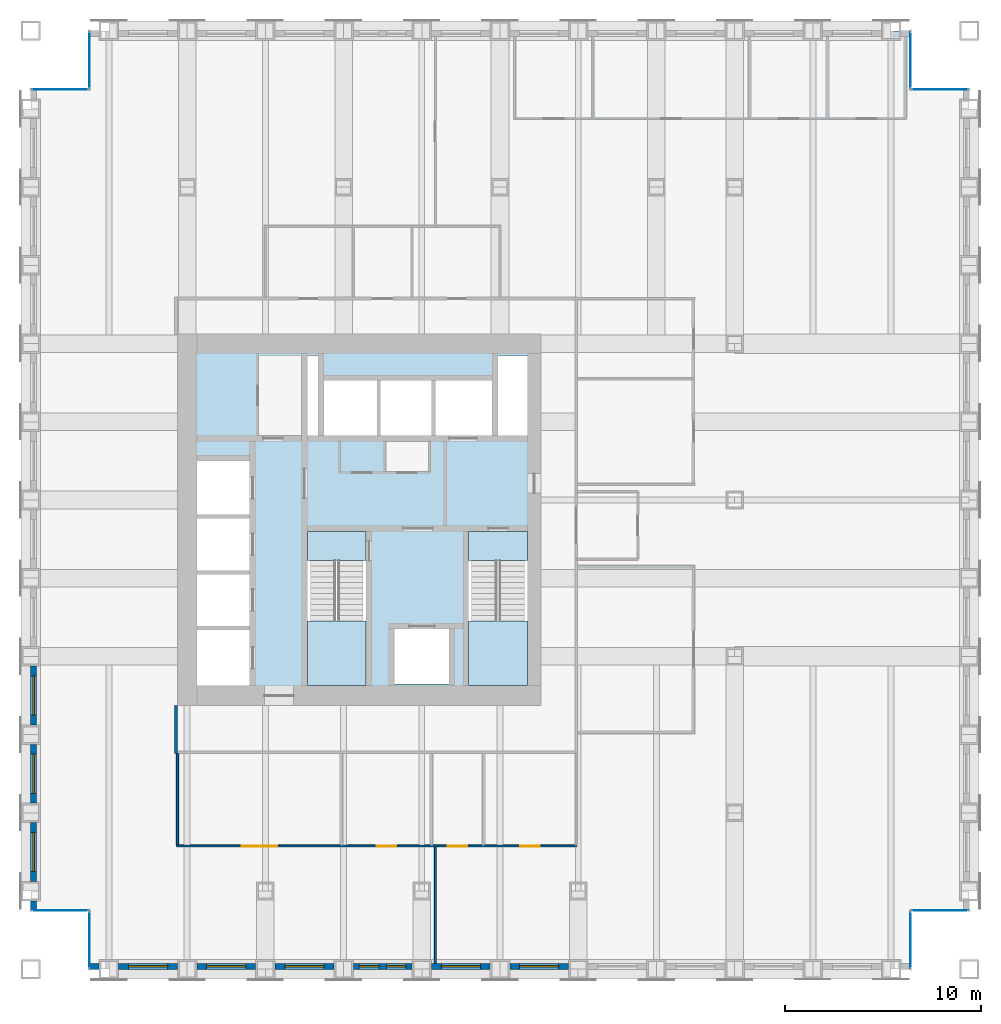
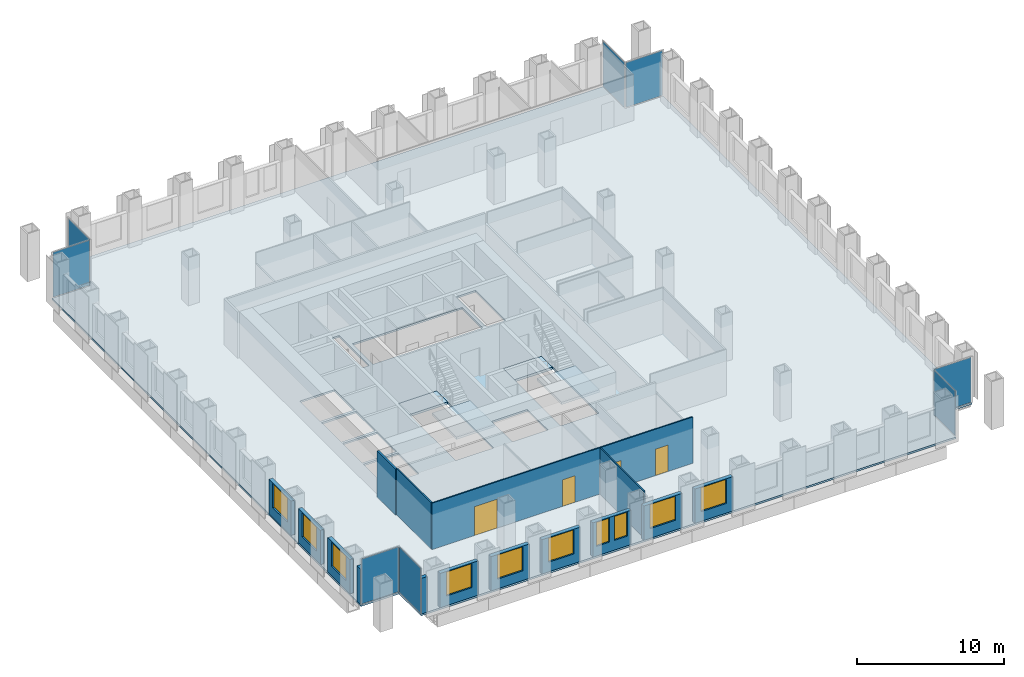
# One storey, part 10 of 15: 15 walls, 10 windows, 8 plates, 5 slabs, 4 doors, 14 openings, 10 elements without a shape of their own.
"""IFC4 building model written with IfcOpenShell, lengths in metres."""

from ifc_helpers import new_model, si_unit, direction, frame, frame_2d, origin, origin_2d, place, context, subcontext, project, spatial, polyline, rectangle, outline, extrude, material, layer, layer_set, type_object, element, fill, aggregate, save


model = new_model("IFC4")

# Units and contexts
model_context = context("Model", 3, precision=1e-05, world=origin(), true_north=direction((0.0, 1.0)))
body_context = subcontext(model_context, "Body", "Model", "MODEL_VIEW")
ifc_project = project(units=[si_unit("LENGTHUNIT", "METRE"), si_unit("AREAUNIT", "SQUARE_METRE"), si_unit("VOLUMEUNIT", "CUBIC_METRE"), si_unit("PLANEANGLEUNIT", "RADIAN"), si_unit("MASSUNIT", "GRAM", prefix="KILO")], contexts=[model_context])

# Site, building, storey
site_placement = place(None, origin())
site = spatial("IfcSite", under=ifc_project, at=site_placement, CompositionType="ELEMENT")
building_placement = place(site_placement, origin())
building = spatial("IfcBuilding", under=site, at=building_placement, Name="Rimbunsela Tower", CompositionType="ELEMENT")
storey_placement = place(building_placement, frame((0.0, 0.0, 113.39990234375)))
storey = spatial("IfcBuildingStorey", under=building, at=storey_placement, Name="L27", CompositionType="ELEMENT", Elevation=113.39990234375)

# Slab
ifc_material_1 = material(Name="Concrete fc' 35 MPa", Category="concrete")
ifc_layer_1 = layer(ifc_material_1, 0.14990234375)
ifc_layer_set_1 = layer_set([ifc_layer_1], Name="Floor slab 150")
slab_type_1 = type_object("IfcSlabType", Name="Floor slab 150", PredefinedType="FLOOR", material=ifc_layer_set_1)
slab_1_placement = place(storey_placement, frame((0.0, 0.0, -0.14990234375)))
element("IfcSlab", 1, at=slab_1_placement, inside=storey, type_object=slab_type_1, Name="Floor slab L27", PredefinedType="FLOOR", context=body_context, shape_type="SweptSolid", body=[
    extrude(outline(polyline([(13.0, 4.0), (55.0, 4.0), (55.0, 7.0), (58.0, 7.0), (58.0, 49.0), (55.0, 49.0), (55.0, 52.0), (13.0, 52.0), (13.0, 49.0), (10.0, 49.0), (10.0, 7.0), (13.0, 7.0), (13.0, 4.0)]), holes=[polyline([(21.199951171875, 21.35009765625), (18.5, 21.35009765625), (18.5, 18.5), (21.199951171875, 18.5), (21.199951171875, 21.35009765625)]), polyline([(21.199951171875, 21.550048828125), (21.199951171875, 24.199951171875), (18.5, 24.199951171875), (18.5, 21.550048828125), (21.199951171875, 21.550048828125)]), polyline([(21.199951171875, 27.050048828125), (18.5, 27.050048828125), (18.5, 24.39990234375), (21.199951171875, 24.39990234375), (21.199951171875, 27.050048828125)]), polyline([(21.199951171875, 27.25), (21.199951171875, 30.0), (18.5, 30.0), (18.5, 27.25), (21.199951171875, 27.25)]), polyline([(27.14990234375, 18.60009765625), (27.14990234375, 26.39990234375), (24.14990234375, 26.39990234375), (24.14990234375, 18.60009765625), (27.14990234375, 18.60009765625)]), polyline([(24.699951171875, 31.300048828125), (24.699951171875, 35.39990234375), (24.14990234375, 35.39990234375), (24.14990234375, 31.300048828125), (24.699951171875, 31.300048828125)]), polyline([(25.0, 34.10009765625), (25.0, 31.300048828125), (33.60009765625, 31.300048828125), (33.60009765625, 34.10009765625), (25.0, 34.10009765625)]), polyline([(31.39990234375, 21.39990234375), (28.60009765625, 21.39990234375), (28.60009765625, 18.60009765625), (31.39990234375, 18.60009765625), (31.39990234375, 21.39990234375)]), polyline([(35.39990234375, 18.60009765625), (35.39990234375, 26.39990234375), (32.39990234375, 26.39990234375), (32.39990234375, 18.60009765625), (35.39990234375, 18.60009765625)]), polyline([(35.39990234375, 31.300048828125), (35.39990234375, 35.39990234375), (33.89990234375, 35.39990234375), (33.89990234375, 31.300048828125), (35.39990234375, 31.300048828125)])]), origin(), (0.0, 0.0, 1.0), 0.14990234375),
])

# Curtain wall, plate
ifc_material_2 = material(Name="Aluminium curtain wall", Category="aluminium")
curtain_wall_type = type_object("IfcCurtainWallType", Name="Corner glazing", PredefinedType="USERDEFINED", material=ifc_material_2)
curtain_wall_1_placement = place(storey_placement, origin())
curtain_wall_1 = element("IfcCurtainWall", 2, at=curtain_wall_1_placement, inside=storey, type_object=curtain_wall_type, Name="Corner glazing L27", ObjectType="CORNER GLAZING", PredefinedType="USERDEFINED")
ifc_material_3 = material(Name="Clear double glazing", Category="glass")
ifc_layer_2 = layer(ifc_material_3, 0.028076171875)
ifc_layer_set_2 = layer_set([ifc_layer_2], Name="Glazed panel clear")
plate_type = type_object("IfcPlateType", Name="Glazed panel clear", PredefinedType="CURTAIN_PANEL", material=ifc_layer_set_2)
plate_1_placement = place(storey_placement, frame((55.0, 5.5, 0.06005859375), z_axis=(0.0, 0.0, 1.0), x_axis=(0.0, 1.0, 0.0)))
plate_1 = element("IfcPlate", 3, at=plate_1_placement, type_object=plate_type, Name="CW5 panel 1.1", PredefinedType="CURTAIN_PANEL", context=body_context, shape_type="SweptSolid", body=[
    extrude(rectangle(XDim=2.8798828125, YDim=0.028076171875, at=origin_2d()), origin(), (0.0, 0.0, 1.0), 3.72998046875),
])
aggregate(curtain_wall_1, [plate_1])

curtain_wall_2_placement = place(storey_placement, origin())
curtain_wall_2 = element("IfcCurtainWall", 4, at=curtain_wall_2_placement, inside=storey, type_object=curtain_wall_type, Name="Corner glazing L27", ObjectType="CORNER GLAZING", PredefinedType="USERDEFINED")
plate_2_placement = place(storey_placement, frame((56.5, 7.0, 0.06005859375), z_axis=(0.0, 0.0, 1.0), x_axis=(1.0, 0.0, 0.0)))
plate_2 = element("IfcPlate", 5, at=plate_2_placement, type_object=plate_type, Name="CW5 panel 1.1", PredefinedType="CURTAIN_PANEL", context=body_context, shape_type="SweptSolid", body=[
    extrude(rectangle(XDim=2.8798828125, YDim=0.028076171875, at=origin_2d()), origin(), (0.0, 0.0, 1.0), 3.72998046875),
])
aggregate(curtain_wall_2, [plate_2])

curtain_wall_3_placement = place(storey_placement, origin())
curtain_wall_3 = element("IfcCurtainWall", 6, at=curtain_wall_3_placement, inside=storey, type_object=curtain_wall_type, Name="Corner glazing L27", ObjectType="CORNER GLAZING", PredefinedType="USERDEFINED")
plate_3_placement = place(storey_placement, frame((56.5, 49.0, 0.06005859375), z_axis=(0.0, 0.0, 1.0), x_axis=(-1.0, 0.0, 0.0)))
plate_3 = element("IfcPlate", 7, at=plate_3_placement, type_object=plate_type, Name="CW5 panel 1.1", PredefinedType="CURTAIN_PANEL", context=body_context, shape_type="SweptSolid", body=[
    extrude(rectangle(XDim=2.8798828125, YDim=0.028076171875, at=origin_2d()), origin(), (0.0, 0.0, 1.0), 3.72998046875),
])
aggregate(curtain_wall_3, [plate_3])

curtain_wall_4_placement = place(storey_placement, origin())
curtain_wall_4 = element("IfcCurtainWall", 8, at=curtain_wall_4_placement, inside=storey, type_object=curtain_wall_type, Name="Corner glazing L27", ObjectType="CORNER GLAZING", PredefinedType="USERDEFINED")
plate_4_placement = place(storey_placement, frame((55.0, 50.5, 0.06005859375), z_axis=(0.0, 0.0, 1.0), x_axis=(0.0, 1.0, 0.0)))
plate_4 = element("IfcPlate", 9, at=plate_4_placement, type_object=plate_type, Name="CW5 panel 1.1", PredefinedType="CURTAIN_PANEL", context=body_context, shape_type="SweptSolid", body=[
    extrude(rectangle(XDim=2.8798828125, YDim=0.028076171875, at=origin_2d()), origin(), (0.0, 0.0, 1.0), 3.72998046875),
])
aggregate(curtain_wall_4, [plate_4])

curtain_wall_5_placement = place(storey_placement, origin())
curtain_wall_5 = element("IfcCurtainWall", 10, at=curtain_wall_5_placement, inside=storey, type_object=curtain_wall_type, Name="Corner glazing L27", ObjectType="CORNER GLAZING", PredefinedType="USERDEFINED")
plate_5_placement = place(storey_placement, frame((13.0, 50.5, 0.06005859375), z_axis=(0.0, 0.0, 1.0), x_axis=(0.0, -1.0, 0.0)))
plate_5 = element("IfcPlate", 11, at=plate_5_placement, type_object=plate_type, Name="CW5 panel 1.1", PredefinedType="CURTAIN_PANEL", context=body_context, shape_type="SweptSolid", body=[
    extrude(rectangle(XDim=2.8798828125, YDim=0.028076171875, at=origin_2d()), origin(), (0.0, 0.0, 1.0), 3.72998046875),
])
aggregate(curtain_wall_5, [plate_5])

curtain_wall_6_placement = place(storey_placement, origin())
curtain_wall_6 = element("IfcCurtainWall", 12, at=curtain_wall_6_placement, inside=storey, type_object=curtain_wall_type, Name="Corner glazing L27", ObjectType="CORNER GLAZING", PredefinedType="USERDEFINED")
plate_6_placement = place(storey_placement, frame((11.5, 49.0, 0.06005859375), z_axis=(0.0, 0.0, 1.0), x_axis=(-1.0, 0.0, 0.0)))
plate_6 = element("IfcPlate", 13, at=plate_6_placement, type_object=plate_type, Name="CW5 panel 1.1", PredefinedType="CURTAIN_PANEL", context=body_context, shape_type="SweptSolid", body=[
    extrude(rectangle(XDim=2.8798828125, YDim=0.028076171875, at=origin_2d()), origin(), (0.0, 0.0, 1.0), 3.72998046875),
])
aggregate(curtain_wall_6, [plate_6])

curtain_wall_7_placement = place(storey_placement, origin())
curtain_wall_7 = element("IfcCurtainWall", 14, at=curtain_wall_7_placement, inside=storey, type_object=curtain_wall_type, Name="Corner glazing L27", ObjectType="CORNER GLAZING", PredefinedType="USERDEFINED")
plate_7_placement = place(storey_placement, frame((11.5, 7.0, 0.06005859375), z_axis=(0.0, 0.0, 1.0), x_axis=(1.0, 0.0, 0.0)))
plate_7 = element("IfcPlate", 15, at=plate_7_placement, type_object=plate_type, Name="CW5 panel 1.1", PredefinedType="CURTAIN_PANEL", context=body_context, shape_type="SweptSolid", body=[
    extrude(rectangle(XDim=2.8798828125, YDim=0.028076171875, at=origin_2d()), origin(), (0.0, 0.0, 1.0), 3.72998046875),
])
aggregate(curtain_wall_7, [plate_7])

curtain_wall_8_placement = place(storey_placement, origin())
curtain_wall_8 = element("IfcCurtainWall", 16, at=curtain_wall_8_placement, inside=storey, type_object=curtain_wall_type, Name="Corner glazing L27", ObjectType="CORNER GLAZING", PredefinedType="USERDEFINED")
plate_8_placement = place(storey_placement, frame((13.0, 5.5, 0.06005859375), z_axis=(0.0, 0.0, 1.0), x_axis=(0.0, -1.0, 0.0)))
plate_8 = element("IfcPlate", 17, at=plate_8_placement, type_object=plate_type, Name="CW5 panel 1.1", PredefinedType="CURTAIN_PANEL", context=body_context, shape_type="SweptSolid", body=[
    extrude(rectangle(XDim=2.8798828125, YDim=0.028076171875, at=origin_2d()), origin(), (0.0, 0.0, 1.0), 3.72998046875),
])
aggregate(curtain_wall_8, [plate_8])

# Stair, slabs
ifc_material_4 = material(Name="Concrete fc' 35 MPa", Category="concrete")
stair_type = type_object("IfcStairType", Name="Exit stair 24 risers", PredefinedType="HALF_TURN_STAIR", material=ifc_material_4)
stair_1_placement = place(storey_placement, origin())
stair_1 = element("IfcStair", 18, at=stair_1_placement, inside=storey, type_object=stair_type, Name="Exit stair A L27", PredefinedType="HALF_TURN_STAIR")
ifc_material_5 = material(Name="Concrete fc' 35 MPa", Category="concrete")
ifc_layer_3 = layer(ifc_material_5, 0.199951171875)
ifc_layer_set_3 = layer_set([ifc_layer_3], Name="Stair landing 200")
slab_type_2 = type_object("IfcSlabType", Name="Stair landing 200", PredefinedType="LANDING", material=ifc_layer_set_3)
slab_2_placement = place(storey_placement, frame((0.0, 0.0, -0.199951171875)))
slab_2 = element("IfcSlab", 19, at=slab_2_placement, type_object=slab_type_2, Name="ST-A landing 1", PredefinedType="LANDING", context=body_context, shape_type="SweptSolid", body=[
    extrude(outline(polyline([(24.14990234375, 24.89990234375), (27.14990234375, 24.89990234375), (27.14990234375, 26.39990234375), (24.14990234375, 26.39990234375), (24.14990234375, 24.89990234375)])), origin(), (0.0, 0.0, 1.0), 0.199951171875),
])
slab_3_placement = place(storey_placement, frame((0.0, 0.0, 1.800048828125)))
slab_3 = element("IfcSlab", 20, at=slab_3_placement, type_object=slab_type_2, Name="ST-A landing 2", PredefinedType="LANDING", context=body_context, shape_type="SweptSolid", body=[
    extrude(outline(polyline([(24.14990234375, 18.5), (27.14990234375, 18.5), (27.14990234375, 21.820068359375), (24.14990234375, 21.820068359375), (24.14990234375, 18.5)])), origin(), (0.0, 0.0, 1.0), 0.199951171875),
])
aggregate(stair_1, [slab_2, slab_3])

stair_2_placement = place(storey_placement, origin())
stair_2 = element("IfcStair", 21, at=stair_2_placement, inside=storey, type_object=stair_type, Name="Exit stair B L27", PredefinedType="HALF_TURN_STAIR")
slab_4_placement = place(storey_placement, frame((0.0, 0.0, -0.199951171875)))
slab_4 = element("IfcSlab", 22, at=slab_4_placement, type_object=slab_type_2, Name="ST-B landing 1", PredefinedType="LANDING", context=body_context, shape_type="SweptSolid", body=[
    extrude(outline(polyline([(32.39990234375, 24.89990234375), (35.39990234375, 24.89990234375), (35.39990234375, 26.39990234375), (32.39990234375, 26.39990234375), (32.39990234375, 24.89990234375)])), origin(), (0.0, 0.0, 1.0), 0.199951171875),
])
slab_5_placement = place(storey_placement, frame((0.0, 0.0, 1.800048828125)))
slab_5 = element("IfcSlab", 23, at=slab_5_placement, type_object=slab_type_2, Name="ST-B landing 2", PredefinedType="LANDING", context=body_context, shape_type="SweptSolid", body=[
    extrude(outline(polyline([(32.39990234375, 18.5), (35.39990234375, 18.5), (35.39990234375, 21.820068359375), (32.39990234375, 21.820068359375), (32.39990234375, 18.5)])), origin(), (0.0, 0.0, 1.0), 0.199951171875),
])
aggregate(stair_2, [slab_4, slab_5])

# Wall, openings, doors
ifc_material_6 = material(Name="Gypsum board on steel studs", Category="steel")
ifc_layer_4 = layer(ifc_material_6, 0.10009765625)
ifc_layer_set_4 = layer_set([ifc_layer_4], Name="Office partition 100")
wall_type_1 = type_object("IfcWallType", Name="Office partition 100", PredefinedType="PARTITIONING", material=ifc_layer_set_4)
wall_1_placement = place(storey_placement, frame((17.449951171875, 10.300048828125, 0.0), z_axis=(0.0, 0.0, 1.0), x_axis=(1.0, 0.0, 0.0)))
wall_1 = element("IfcWall", 24, at=wall_1_placement, inside=storey, type_object=wall_type_1, Name="Office partition", PredefinedType="PARTITIONING", context=body_context, shape_type="SweptSolid", body=[
    extrude(rectangle(XDim=20.5, YDim=0.10009765625, at=frame_2d((10.25, 0.0))), origin(), (0.0, 0.0, 1.0), 3.85009765625),
])
opening_1_placement = place(wall_1_placement, frame((3.35009765625, 0.0, 0.0)))
opening_1 = element("IfcOpeningElement", 25, at=opening_1_placement, cuts=wall_1, Name="Opening D18", PredefinedType="OPENING", context=body_context, shape_type="SweptSolid", body=[
    extrude(rectangle(XDim=1.800048828125, YDim=2.39990234375, at=frame_2d((0.89990234375, 1.199951171875))), frame((0.0, 0.06005859375, 0.0), z_axis=(0.0, -1.0, 0.0), x_axis=(1.0, 0.0, 0.0)), (0.0, 0.0, 1.0), 0.1201171875),
])
opening_2_placement = place(wall_1_placement, frame((10.25, 0.0, 0.0)))
opening_2 = element("IfcOpeningElement", 26, at=opening_2_placement, cuts=wall_1, Name="Opening D16", PredefinedType="OPENING", context=body_context, shape_type="SweptSolid", body=[
    extrude(rectangle(XDim=1.0, YDim=2.199951171875, at=frame_2d((0.5, 1.10009765625))), frame((0.0, 0.06005859375, 0.0), z_axis=(0.0, -1.0, 0.0), x_axis=(1.0, 0.0, 0.0)), (0.0, 0.0, 1.0), 0.1201171875),
])
opening_3_placement = place(wall_1_placement, frame((13.875, 0.0, 0.0)))
opening_3 = element("IfcOpeningElement", 27, at=opening_3_placement, cuts=wall_1, Name="Opening D16", PredefinedType="OPENING", context=body_context, shape_type="SweptSolid", body=[
    extrude(rectangle(XDim=1.0, YDim=2.199951171875, at=frame_2d((0.5, 1.10009765625))), frame((0.0, 0.06005859375, 0.0), z_axis=(0.0, -1.0, 0.0), x_axis=(1.0, 0.0, 0.0)), (0.0, 0.0, 1.0), 0.1201171875),
])
opening_4_placement = place(wall_1_placement, frame((17.574951171875, 0.0, 0.0)))
opening_4 = element("IfcOpeningElement", 28, at=opening_4_placement, cuts=wall_1, Name="Opening D16", PredefinedType="OPENING", context=body_context, shape_type="SweptSolid", body=[
    extrude(rectangle(XDim=1.0, YDim=2.199951171875, at=frame_2d((0.5, 1.10009765625))), frame((0.0, 0.06005859375, 0.0), z_axis=(0.0, -1.0, 0.0), x_axis=(1.0, 0.0, 0.0)), (0.0, 0.0, 1.0), 0.1201171875),
])
ifc_material_7 = material(Name="Glazed aluminium door", Category="aluminium")
door_type_1 = type_object("IfcDoorType", Name="Boardroom door 1800 glazed", OperationType="DOUBLE_DOOR_DOUBLE_SWING", PredefinedType="DOOR", material=ifc_material_7)
door_1_placement = place(opening_1_placement, origin())
door_1 = element("IfcDoor", 29, at=door_1_placement, inside=storey, type_object=door_type_1, Name="Boardroom door", OperationType="DOUBLE_DOOR_DOUBLE_SWING", OverallHeight=2.39990234375, OverallWidth=1.800048828125, PredefinedType="DOOR", context=body_context, shape_type="SweptSolid", body=[
    extrude(rectangle(XDim=1.800048828125, YDim=2.39990234375, at=frame_2d((0.89990234375, 1.199951171875))), frame((0.0, 0.02490234375, 0.0), z_axis=(0.0, -1.0, 0.0), x_axis=(1.0, 0.0, 0.0)), (0.0, 0.0, 1.0), 0.050048828125),
])
fill(opening_1, door_1)
ifc_material_8 = material(Name="Timber door", Category="wood")
door_type_2 = type_object("IfcDoorType", Name="Office door 1000", OperationType="SINGLE_SWING_LEFT", PredefinedType="DOOR", material=ifc_material_8)
door_2_placement = place(opening_2_placement, origin())
door_2 = element("IfcDoor", 30, at=door_2_placement, inside=storey, type_object=door_type_2, Name="Office door", OperationType="SINGLE_SWING_LEFT", OverallHeight=2.199951171875, OverallWidth=1.0, PredefinedType="DOOR", context=body_context, shape_type="SweptSolid", body=[
    extrude(rectangle(XDim=1.0, YDim=2.199951171875, at=frame_2d((0.5, 1.10009765625))), frame((0.0, 0.02490234375, 0.0), z_axis=(0.0, -1.0, 0.0), x_axis=(1.0, 0.0, 0.0)), (0.0, 0.0, 1.0), 0.050048828125),
])
fill(opening_2, door_2)
door_3_placement = place(opening_3_placement, origin())
door_3 = element("IfcDoor", 31, at=door_3_placement, inside=storey, type_object=door_type_2, Name="Office door", OperationType="SINGLE_SWING_LEFT", OverallHeight=2.199951171875, OverallWidth=1.0, PredefinedType="DOOR", context=body_context, shape_type="SweptSolid", body=[
    extrude(rectangle(XDim=1.0, YDim=2.199951171875, at=frame_2d((0.5, 1.10009765625))), frame((0.0, 0.02490234375, 0.0), z_axis=(0.0, -1.0, 0.0), x_axis=(1.0, 0.0, 0.0)), (0.0, 0.0, 1.0), 0.050048828125),
])
fill(opening_3, door_3)
door_4_placement = place(opening_4_placement, origin())
door_4 = element("IfcDoor", 32, at=door_4_placement, inside=storey, type_object=door_type_2, Name="Office door", OperationType="SINGLE_SWING_LEFT", OverallHeight=2.199951171875, OverallWidth=1.0, PredefinedType="DOOR", context=body_context, shape_type="SweptSolid", body=[
    extrude(rectangle(XDim=1.0, YDim=2.199951171875, at=frame_2d((0.5, 1.10009765625))), frame((0.0, 0.02490234375, 0.0), z_axis=(0.0, -1.0, 0.0), x_axis=(1.0, 0.0, 0.0)), (0.0, 0.0, 1.0), 0.050048828125),
])
fill(opening_4, door_4)

# Walls
wall_2_placement = place(storey_placement, frame((17.5, 10.35009765625, 0.0), z_axis=(0.0, 0.0, 1.0), x_axis=(0.0, 1.0, 0.0)))
element("IfcWall", 33, at=wall_2_placement, inside=storey, type_object=wall_type_1, Name="Office partition", PredefinedType="PARTITIONING", context=body_context, shape_type="SweptSolid", body=[
    extrude(rectangle(XDim=4.6748046875, YDim=0.10009765625, at=frame_2d((2.33740234375, 0.0))), origin(), (0.0, 0.0, 1.0), 3.85009765625),
])
wall_3_placement = place(storey_placement, frame((30.699951171875, 4.300048828125, 0.0), z_axis=(0.0, 0.0, 1.0), x_axis=(0.0, 1.0, 0.0)))
element("IfcWall", 34, at=wall_3_placement, inside=storey, type_object=wall_type_1, Name="Office partition", PredefinedType="PARTITIONING", context=body_context, shape_type="SweptSolid", body=[
    extrude(rectangle(XDim=5.949951171875, YDim=0.10009765625, at=frame_2d((2.97509765625, 0.0))), origin(), (0.0, 0.0, 1.0), 3.85009765625),
])
ifc_material_9 = material(Name="Precast concrete fc' 35 MPa", Category="concrete")
ifc_layer_5 = layer(ifc_material_9, 0.300048828125)
ifc_layer_set_5 = layer_set([ifc_layer_5], Name="Precast concrete fc' 35 MPa")
wall_type_2 = type_object("IfcWallType", Name="Precast facade panel 300", PredefinedType="ELEMENTEDWALL", material=ifc_layer_set_5)
wall_4_placement = place(storey_placement, frame((13.030029296875, 4.14990234375, 0.0), z_axis=(0.0, 0.0, 1.0), x_axis=(1.0, 0.0, 0.0)))
element("IfcWall", 35, at=wall_4_placement, inside=storey, type_object=wall_type_2, Name="Facade panel S L27", PredefinedType="ELEMENTEDWALL", context=body_context, shape_type="SweptSolid", body=[
    extrude(rectangle(XDim=0.469970703125, YDim=0.300048828125, at=frame_2d((0.23486328125, 0.0))), origin(), (0.0, 0.0, 1.0), 2.9501953125),
])

# Wall, opening, window
wall_5_placement = place(storey_placement, frame((14.5, 4.14990234375, 0.0), z_axis=(0.0, 0.0, 1.0), x_axis=(1.0, 0.0, 0.0)))
wall_5 = element("IfcWall", 36, at=wall_5_placement, inside=storey, type_object=wall_type_2, Name="Facade panel S L27", PredefinedType="ELEMENTEDWALL", context=body_context, shape_type="SweptSolid", body=[
    extrude(rectangle(XDim=3.0, YDim=0.300048828125, at=frame_2d((1.5, 0.0))), origin(), (0.0, 0.0, 1.0), 2.85009765625),
])
opening_5_placement = place(wall_5_placement, frame((0.5, 0.0, 0.800048828125)))
opening_5 = element("IfcOpeningElement", 37, at=opening_5_placement, cuts=wall_5, Name="Opening W1", PredefinedType="OPENING", context=body_context, shape_type="SweptSolid", body=[
    extrude(rectangle(XDim=2.0, YDim=2.0, at=frame_2d((1.0, 1.0))), frame((0.0, 0.159912109375, 0.0), z_axis=(0.0, -1.0, 0.0), x_axis=(1.0, 0.0, 0.0)), (0.0, 0.0, 1.0), 0.320068359375),
])
ifc_material_10 = material(Name="Clear glass in aluminium frame", Category="aluminium")
window_type_1 = type_object("IfcWindowType", Name="Window W1 2000x2000", PartitioningType="DOUBLE_PANEL_VERTICAL", PredefinedType="WINDOW", material=ifc_material_10)
window_1_placement = place(opening_5_placement, origin())
window_1 = element("IfcWindow", 38, at=window_1_placement, inside=storey, type_object=window_type_1, Name="Window L27", OverallHeight=2.0, OverallWidth=2.0, PartitioningType="SINGLE_PANEL", PredefinedType="WINDOW", context=body_context, shape_type="SweptSolid", body=[
    extrude(rectangle(XDim=2.0, YDim=2.0, at=frame_2d((1.0, 1.0))), frame((0.0, 0.030029296875, 0.0), z_axis=(0.0, -1.0, 0.0), x_axis=(1.0, 0.0, 0.0)), (0.0, 0.0, 1.0), 0.06005859375),
])
fill(opening_5, window_1)

wall_6_placement = place(storey_placement, frame((18.5, 4.14990234375, 0.0), z_axis=(0.0, 0.0, 1.0), x_axis=(1.0, 0.0, 0.0)))
wall_6 = element("IfcWall", 39, at=wall_6_placement, inside=storey, type_object=wall_type_2, Name="Facade panel S L27", PredefinedType="ELEMENTEDWALL", context=body_context, shape_type="SweptSolid", body=[
    extrude(rectangle(XDim=3.0, YDim=0.300048828125, at=frame_2d((1.5, 0.0))), origin(), (0.0, 0.0, 1.0), 2.85009765625),
])
opening_6_placement = place(wall_6_placement, frame((0.5, 0.0, 0.800048828125)))
opening_6 = element("IfcOpeningElement", 40, at=opening_6_placement, cuts=wall_6, Name="Opening W1", PredefinedType="OPENING", context=body_context, shape_type="SweptSolid", body=[
    extrude(rectangle(XDim=2.0, YDim=2.0, at=frame_2d((1.0, 1.0))), frame((0.0, 0.159912109375, 0.0), z_axis=(0.0, -1.0, 0.0), x_axis=(1.0, 0.0, 0.0)), (0.0, 0.0, 1.0), 0.320068359375),
])
window_2_placement = place(opening_6_placement, origin())
window_2 = element("IfcWindow", 41, at=window_2_placement, inside=storey, type_object=window_type_1, Name="Window L27", OverallHeight=2.0, OverallWidth=2.0, PartitioningType="SINGLE_PANEL", PredefinedType="WINDOW", context=body_context, shape_type="SweptSolid", body=[
    extrude(rectangle(XDim=2.0, YDim=2.0, at=frame_2d((1.0, 1.0))), frame((0.0, 0.030029296875, 0.0), z_axis=(0.0, -1.0, 0.0), x_axis=(1.0, 0.0, 0.0)), (0.0, 0.0, 1.0), 0.06005859375),
])
fill(opening_6, window_2)

wall_7_placement = place(storey_placement, frame((22.5, 4.14990234375, 0.0), z_axis=(0.0, 0.0, 1.0), x_axis=(1.0, 0.0, 0.0)))
wall_7 = element("IfcWall", 42, at=wall_7_placement, inside=storey, type_object=wall_type_2, Name="Facade panel S L27", PredefinedType="ELEMENTEDWALL", context=body_context, shape_type="SweptSolid", body=[
    extrude(rectangle(XDim=3.0, YDim=0.300048828125, at=frame_2d((1.5, 0.0))), origin(), (0.0, 0.0, 1.0), 2.85009765625),
])
opening_7_placement = place(wall_7_placement, frame((0.5, 0.0, 0.800048828125)))
opening_7 = element("IfcOpeningElement", 43, at=opening_7_placement, cuts=wall_7, Name="Opening W1", PredefinedType="OPENING", context=body_context, shape_type="SweptSolid", body=[
    extrude(rectangle(XDim=2.0, YDim=2.0, at=frame_2d((1.0, 1.0))), frame((0.0, 0.159912109375, 0.0), z_axis=(0.0, -1.0, 0.0), x_axis=(1.0, 0.0, 0.0)), (0.0, 0.0, 1.0), 0.320068359375),
])
window_3_placement = place(opening_7_placement, origin())
window_3 = element("IfcWindow", 44, at=window_3_placement, inside=storey, type_object=window_type_1, Name="Window L27", OverallHeight=2.0, OverallWidth=2.0, PartitioningType="SINGLE_PANEL", PredefinedType="WINDOW", context=body_context, shape_type="SweptSolid", body=[
    extrude(rectangle(XDim=2.0, YDim=2.0, at=frame_2d((1.0, 1.0))), frame((0.0, 0.030029296875, 0.0), z_axis=(0.0, -1.0, 0.0), x_axis=(1.0, 0.0, 0.0)), (0.0, 0.0, 1.0), 0.06005859375),
])
fill(opening_7, window_3)

# Wall, openings, windows
wall_8_placement = place(storey_placement, frame((26.5, 4.14990234375, 0.0), z_axis=(0.0, 0.0, 1.0), x_axis=(1.0, 0.0, 0.0)))
wall_8 = element("IfcWall", 45, at=wall_8_placement, inside=storey, type_object=wall_type_2, Name="Facade panel S L27", PredefinedType="ELEMENTEDWALL", context=body_context, shape_type="SweptSolid", body=[
    extrude(rectangle(XDim=3.0, YDim=0.300048828125, at=frame_2d((1.5, 0.0))), origin(), (0.0, 0.0, 1.0), 2.85009765625),
])
opening_8_placement = place(wall_8_placement, frame((0.300048828125, 0.0, 0.800048828125)))
opening_8 = element("IfcOpeningElement", 46, at=opening_8_placement, cuts=wall_8, Name="Opening W5", PredefinedType="OPENING", context=body_context, shape_type="SweptSolid", body=[
    extrude(rectangle(XDim=1.0, YDim=2.0, at=frame_2d((0.5, 1.0))), frame((0.0, 0.159912109375, 0.0), z_axis=(0.0, -1.0, 0.0), x_axis=(1.0, 0.0, 0.0)), (0.0, 0.0, 1.0), 0.320068359375),
])
opening_9_placement = place(wall_8_placement, frame((1.699951171875, 0.0, 0.800048828125)))
opening_9 = element("IfcOpeningElement", 47, at=opening_9_placement, cuts=wall_8, Name="Opening W5", PredefinedType="OPENING", context=body_context, shape_type="SweptSolid", body=[
    extrude(rectangle(XDim=1.0, YDim=2.0, at=frame_2d((0.5, 1.0))), frame((0.0, 0.159912109375, 0.0), z_axis=(0.0, -1.0, 0.0), x_axis=(1.0, 0.0, 0.0)), (0.0, 0.0, 1.0), 0.320068359375),
])
ifc_material_11 = material(Name="Clear glass in aluminium frame", Category="aluminium")
window_type_2 = type_object("IfcWindowType", Name="Window W5 1000x2000", PartitioningType="SINGLE_PANEL", PredefinedType="WINDOW", material=ifc_material_11)
window_4_placement = place(opening_8_placement, origin())
window_4 = element("IfcWindow", 48, at=window_4_placement, inside=storey, type_object=window_type_2, Name="Window L27", OverallHeight=2.0, OverallWidth=1.0, PartitioningType="SINGLE_PANEL", PredefinedType="WINDOW", context=body_context, shape_type="SweptSolid", body=[
    extrude(rectangle(XDim=1.0, YDim=2.0, at=frame_2d((0.5, 1.0))), frame((0.0, 0.030029296875, 0.0), z_axis=(0.0, -1.0, 0.0), x_axis=(1.0, 0.0, 0.0)), (0.0, 0.0, 1.0), 0.06005859375),
])
fill(opening_8, window_4)
window_5_placement = place(opening_9_placement, origin())
window_5 = element("IfcWindow", 49, at=window_5_placement, inside=storey, type_object=window_type_2, Name="Window L27", OverallHeight=2.0, OverallWidth=1.0, PartitioningType="SINGLE_PANEL", PredefinedType="WINDOW", context=body_context, shape_type="SweptSolid", body=[
    extrude(rectangle(XDim=1.0, YDim=2.0, at=frame_2d((0.5, 1.0))), frame((0.0, 0.030029296875, 0.0), z_axis=(0.0, -1.0, 0.0), x_axis=(1.0, 0.0, 0.0)), (0.0, 0.0, 1.0), 0.06005859375),
])
fill(opening_9, window_5)

# Wall, opening, window
wall_9_placement = place(storey_placement, frame((30.5, 4.14990234375, 0.0), z_axis=(0.0, 0.0, 1.0), x_axis=(1.0, 0.0, 0.0)))
wall_9 = element("IfcWall", 50, at=wall_9_placement, inside=storey, type_object=wall_type_2, Name="Facade panel S L27", PredefinedType="ELEMENTEDWALL", context=body_context, shape_type="SweptSolid", body=[
    extrude(rectangle(XDim=3.0, YDim=0.300048828125, at=frame_2d((1.5, 0.0))), origin(), (0.0, 0.0, 1.0), 2.85009765625),
])
opening_10_placement = place(wall_9_placement, frame((0.5, 0.0, 0.800048828125)))
opening_10 = element("IfcOpeningElement", 51, at=opening_10_placement, cuts=wall_9, Name="Opening W1", PredefinedType="OPENING", context=body_context, shape_type="SweptSolid", body=[
    extrude(rectangle(XDim=2.0, YDim=2.0, at=frame_2d((1.0, 1.0))), frame((0.0, 0.159912109375, 0.0), z_axis=(0.0, -1.0, 0.0), x_axis=(1.0, 0.0, 0.0)), (0.0, 0.0, 1.0), 0.320068359375),
])
window_6_placement = place(opening_10_placement, origin())
window_6 = element("IfcWindow", 52, at=window_6_placement, inside=storey, type_object=window_type_1, Name="Window L27", OverallHeight=2.0, OverallWidth=2.0, PartitioningType="SINGLE_PANEL", PredefinedType="WINDOW", context=body_context, shape_type="SweptSolid", body=[
    extrude(rectangle(XDim=2.0, YDim=2.0, at=frame_2d((1.0, 1.0))), frame((0.0, 0.030029296875, 0.0), z_axis=(0.0, -1.0, 0.0), x_axis=(1.0, 0.0, 0.0)), (0.0, 0.0, 1.0), 0.06005859375),
])
fill(opening_10, window_6)

wall_10_placement = place(storey_placement, frame((34.5, 4.14990234375, 0.0), z_axis=(0.0, 0.0, 1.0), x_axis=(1.0, 0.0, 0.0)))
wall_10 = element("IfcWall", 53, at=wall_10_placement, inside=storey, type_object=wall_type_2, Name="Facade panel S L27", PredefinedType="ELEMENTEDWALL", context=body_context, shape_type="SweptSolid", body=[
    extrude(rectangle(XDim=3.0, YDim=0.300048828125, at=frame_2d((1.5, 0.0))), origin(), (0.0, 0.0, 1.0), 2.85009765625),
])
opening_11_placement = place(wall_10_placement, frame((0.5, 0.0, 0.800048828125)))
opening_11 = element("IfcOpeningElement", 54, at=opening_11_placement, cuts=wall_10, Name="Opening W1", PredefinedType="OPENING", context=body_context, shape_type="SweptSolid", body=[
    extrude(rectangle(XDim=2.0, YDim=2.0, at=frame_2d((1.0, 1.0))), frame((0.0, 0.159912109375, 0.0), z_axis=(0.0, -1.0, 0.0), x_axis=(1.0, 0.0, 0.0)), (0.0, 0.0, 1.0), 0.320068359375),
])
window_7_placement = place(opening_11_placement, origin())
window_7 = element("IfcWindow", 55, at=window_7_placement, inside=storey, type_object=window_type_1, Name="Window L27", OverallHeight=2.0, OverallWidth=2.0, PartitioningType="SINGLE_PANEL", PredefinedType="WINDOW", context=body_context, shape_type="SweptSolid", body=[
    extrude(rectangle(XDim=2.0, YDim=2.0, at=frame_2d((1.0, 1.0))), frame((0.0, 0.030029296875, 0.0), z_axis=(0.0, -1.0, 0.0), x_axis=(1.0, 0.0, 0.0)), (0.0, 0.0, 1.0), 0.06005859375),
])
fill(opening_11, window_7)

# Wall
wall_11_placement = place(storey_placement, frame((10.14990234375, 7.5, 0.0), z_axis=(0.0, 0.0, 1.0), x_axis=(0.0, -1.0, 0.0)))
element("IfcWall", 56, at=wall_11_placement, inside=storey, type_object=wall_type_2, Name="Facade panel W L27", PredefinedType="ELEMENTEDWALL", context=body_context, shape_type="SweptSolid", body=[
    extrude(rectangle(XDim=0.469970703125, YDim=0.300048828125, at=frame_2d((0.23486328125, 0.0))), origin(), (0.0, 0.0, 1.0), 2.9501953125),
])

# Wall, opening, window
wall_12_placement = place(storey_placement, frame((10.14990234375, 11.5, 0.0), z_axis=(0.0, 0.0, 1.0), x_axis=(0.0, -1.0, 0.0)))
wall_12 = element("IfcWall", 57, at=wall_12_placement, inside=storey, type_object=wall_type_2, Name="Facade panel W L27", PredefinedType="ELEMENTEDWALL", context=body_context, shape_type="SweptSolid", body=[
    extrude(rectangle(XDim=3.0, YDim=0.300048828125, at=frame_2d((1.5, 0.0))), origin(), (0.0, 0.0, 1.0), 2.85009765625),
])
opening_12_placement = place(wall_12_placement, frame((0.5, 0.0, 0.800048828125)))
opening_12 = element("IfcOpeningElement", 58, at=opening_12_placement, cuts=wall_12, Name="Opening W1", PredefinedType="OPENING", context=body_context, shape_type="SweptSolid", body=[
    extrude(rectangle(XDim=2.0, YDim=2.0, at=frame_2d((1.0, 1.0))), frame((0.0, 0.159912109375, 0.0), z_axis=(0.0, -1.0, 0.0), x_axis=(1.0, 0.0, 0.0)), (0.0, 0.0, 1.0), 0.320068359375),
])
window_8_placement = place(opening_12_placement, origin())
window_8 = element("IfcWindow", 59, at=window_8_placement, inside=storey, type_object=window_type_1, Name="Window L27", OverallHeight=2.0, OverallWidth=2.0, PartitioningType="SINGLE_PANEL", PredefinedType="WINDOW", context=body_context, shape_type="SweptSolid", body=[
    extrude(rectangle(XDim=2.0, YDim=2.0, at=frame_2d((1.0, 1.0))), frame((0.0, 0.030029296875, 0.0), z_axis=(0.0, -1.0, 0.0), x_axis=(1.0, 0.0, 0.0)), (0.0, 0.0, 1.0), 0.06005859375),
])
fill(opening_12, window_8)

wall_13_placement = place(storey_placement, frame((10.14990234375, 15.5, 0.0), z_axis=(0.0, 0.0, 1.0), x_axis=(0.0, -1.0, 0.0)))
wall_13 = element("IfcWall", 60, at=wall_13_placement, inside=storey, type_object=wall_type_2, Name="Facade panel W L27", PredefinedType="ELEMENTEDWALL", context=body_context, shape_type="SweptSolid", body=[
    extrude(rectangle(XDim=3.0, YDim=0.300048828125, at=frame_2d((1.5, 0.0))), origin(), (0.0, 0.0, 1.0), 2.85009765625),
])
opening_13_placement = place(wall_13_placement, frame((0.5, 0.0, 0.800048828125)))
opening_13 = element("IfcOpeningElement", 61, at=opening_13_placement, cuts=wall_13, Name="Opening W1", PredefinedType="OPENING", context=body_context, shape_type="SweptSolid", body=[
    extrude(rectangle(XDim=2.0, YDim=2.0, at=frame_2d((1.0, 1.0))), frame((0.0, 0.159912109375, 0.0), z_axis=(0.0, -1.0, 0.0), x_axis=(1.0, 0.0, 0.0)), (0.0, 0.0, 1.0), 0.320068359375),
])
window_9_placement = place(opening_13_placement, origin())
window_9 = element("IfcWindow", 62, at=window_9_placement, inside=storey, type_object=window_type_1, Name="Window L27", OverallHeight=2.0, OverallWidth=2.0, PartitioningType="SINGLE_PANEL", PredefinedType="WINDOW", context=body_context, shape_type="SweptSolid", body=[
    extrude(rectangle(XDim=2.0, YDim=2.0, at=frame_2d((1.0, 1.0))), frame((0.0, 0.030029296875, 0.0), z_axis=(0.0, -1.0, 0.0), x_axis=(1.0, 0.0, 0.0)), (0.0, 0.0, 1.0), 0.06005859375),
])
fill(opening_13, window_9)

wall_14_placement = place(storey_placement, frame((10.14990234375, 19.5, 0.0), z_axis=(0.0, 0.0, 1.0), x_axis=(0.0, -1.0, 0.0)))
wall_14 = element("IfcWall", 63, at=wall_14_placement, inside=storey, type_object=wall_type_2, Name="Facade panel W L27", PredefinedType="ELEMENTEDWALL", context=body_context, shape_type="SweptSolid", body=[
    extrude(rectangle(XDim=3.0, YDim=0.300048828125, at=frame_2d((1.5, 0.0))), origin(), (0.0, 0.0, 1.0), 2.85009765625),
])
opening_14_placement = place(wall_14_placement, frame((0.5, 0.0, 0.800048828125)))
opening_14 = element("IfcOpeningElement", 64, at=opening_14_placement, cuts=wall_14, Name="Opening W1", PredefinedType="OPENING", context=body_context, shape_type="SweptSolid", body=[
    extrude(rectangle(XDim=2.0, YDim=2.0, at=frame_2d((1.0, 1.0))), frame((0.0, 0.159912109375, 0.0), z_axis=(0.0, -1.0, 0.0), x_axis=(1.0, 0.0, 0.0)), (0.0, 0.0, 1.0), 0.320068359375),
])
window_10_placement = place(opening_14_placement, origin())
window_10 = element("IfcWindow", 65, at=window_10_placement, inside=storey, type_object=window_type_1, Name="Window L27", OverallHeight=2.0, OverallWidth=2.0, PartitioningType="SINGLE_PANEL", PredefinedType="WINDOW", context=body_context, shape_type="SweptSolid", body=[
    extrude(rectangle(XDim=2.0, YDim=2.0, at=frame_2d((1.0, 1.0))), frame((0.0, 0.030029296875, 0.0), z_axis=(0.0, -1.0, 0.0), x_axis=(1.0, 0.0, 0.0)), (0.0, 0.0, 1.0), 0.06005859375),
])
fill(opening_14, window_10)

# Wall
ifc_material_12 = material(Name="Fire-rated gypsum board on steel studs, EI 60", Category="steel")
ifc_layer_6 = layer(ifc_material_12, 0.14990234375)
ifc_layer_set_6 = layer_set([ifc_layer_6], Name="Rated corridor wall 150")
wall_type_3 = type_object("IfcWallType", Name="Rated corridor wall 150", PredefinedType="PARTITIONING", material=ifc_layer_set_6)
wall_15_placement = place(storey_placement, frame((17.425048828125, 15.02490234375, 0.0), z_axis=(0.0, 0.0, 1.0), x_axis=(0.0, 1.0, 0.0)))
element("IfcWall", 66, at=wall_15_placement, inside=storey, type_object=wall_type_3, Name="Corridor end wall south", PredefinedType="PARTITIONING", context=body_context, shape_type="SweptSolid", body=[
    extrude(rectangle(XDim=2.47509765625, YDim=0.14990234375, at=frame_2d((1.237548828125, 0.0))), origin(), (0.0, 0.0, 1.0), 3.85009765625),
])

save(model, "model.ifc")
